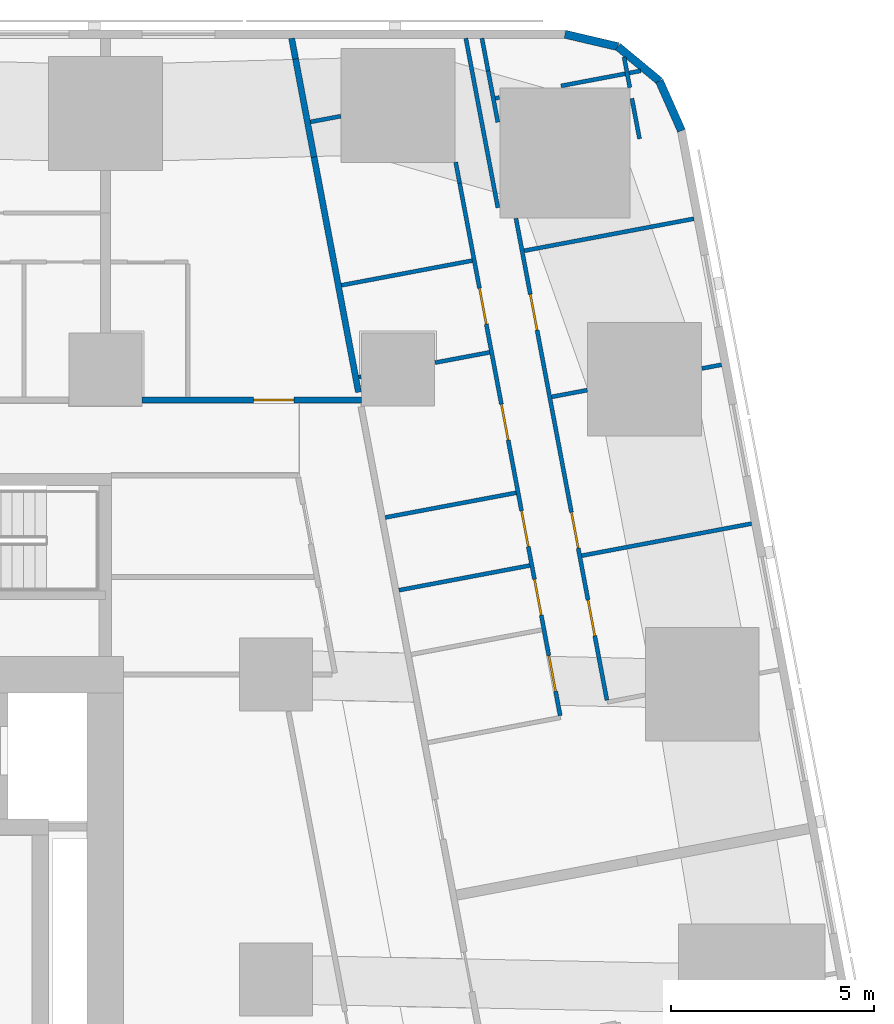
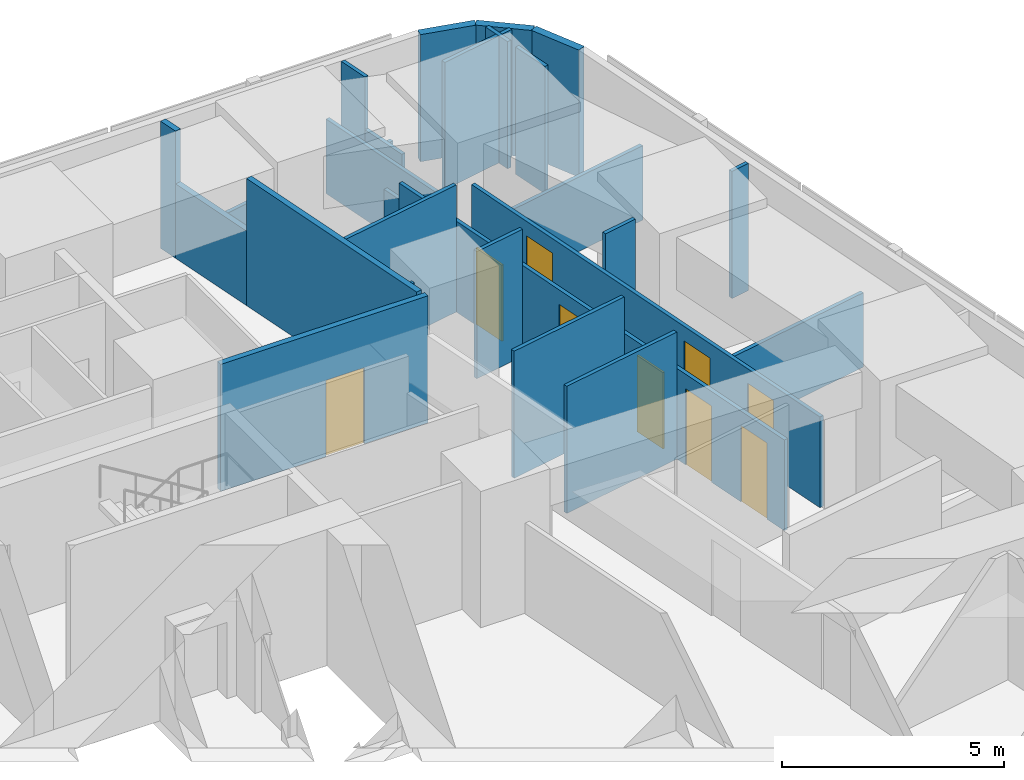
# One storey, part 11 of 16: 27 walls, 9 doors, 9 openings.
"""IFC4 building model written with IfcOpenShell, lengths in metres."""

from ifc_helpers import new_model, si_unit, direction, frame, frame_2d, origin, place, context, subcontext, project, spatial, rectangle, extrude, material, layer, layer_set, type_object, element, fill, save


model = new_model("IFC4")

# Units and contexts
model_context = context("Model", 3, precision=1e-05, world=origin(), true_north=direction((0.0, 1.0)))
body_context = subcontext(model_context, "Body", "Model", "MODEL_VIEW")
ifc_project = project(units=[si_unit("LENGTHUNIT", "METRE"), si_unit("AREAUNIT", "SQUARE_METRE"), si_unit("VOLUMEUNIT", "CUBIC_METRE"), si_unit("PLANEANGLEUNIT", "RADIAN"), si_unit("MASSUNIT", "GRAM", prefix="KILO")], contexts=[model_context])

# Site, building, storey
site_placement = place(None, origin())
site = spatial("IfcSite", under=ifc_project, at=site_placement, CompositionType="ELEMENT")
building_placement = place(site_placement, origin())
building = spatial("IfcBuilding", under=site, at=building_placement, Name="Sheger Commons Tower", CompositionType="ELEMENT")
storey_placement = place(building_placement, frame((0.0, 0.0, 57.5)))
storey = spatial("IfcBuildingStorey", under=building, at=storey_placement, Name="L14", CompositionType="ELEMENT", Elevation=57.5)

# Wall, opening, door
ifc_material_1 = material(Name="Hollow concrete block masonry, skimmed both sides", Category="masonry")
ifc_layer_1 = layer(ifc_material_1, 0.14990234375)
ifc_layer_set_1 = layer_set([ifc_layer_1], Name="CORRIDOR WALL 150")
wall_type_1 = type_object("IfcWallType", Name="CORRIDOR WALL 150", PredefinedType="SOLIDWALL", material=ifc_layer_set_1)
wall_1_placement = place(storey_placement, frame((29.700927734375, 36.75, 0.0), z_axis=(0.0, 0.0, 1.0), x_axis=(1.0, 0.0, 0.0)))
wall_1 = element("IfcWall", 1, at=wall_1_placement, inside=storey, type_object=wall_type_1, Name="Corridor wall L14", PredefinedType="SOLIDWALL", context=body_context, shape_type="SweptSolid", body=[
    extrude(rectangle(XDim=5.399169921875, YDim=0.14990234375, at=frame_2d((2.69970703125, 0.0))), origin(), (0.0, 0.0, 1.0), 3.5),
])
opening_1_placement = place(wall_1_placement, frame((2.7451171875, 0.0, 0.0)))
opening_1 = element("IfcOpeningElement", 2, at=opening_1_placement, cuts=wall_1, Name="Opening D1", PredefinedType="OPENING", context=body_context, shape_type="SweptSolid", body=[
    extrude(rectangle(XDim=1.0, YDim=2.10009765625, at=frame_2d((0.5, 1.050048828125))), frame((0.0, 0.0849609375, 0.0), z_axis=(0.0, -1.0, 0.0), x_axis=(1.0, 0.0, 0.0)), (0.0, 0.0, 1.0), 0.169921875),
])
ifc_material_2 = material(Name="Steel door set, fire rated", Category="steel")
door_type_1 = type_object("IfcDoorType", Name="FLAT ENTRANCE DOOR 1000x2100", OperationType="NOTDEFINED", PredefinedType="DOOR", material=ifc_material_2)
door_1_placement = place(opening_1_placement, origin())
door_1 = element("IfcDoor", 3, at=door_1_placement, inside=storey, type_object=door_type_1, Name="Flat entrance door", OperationType="SINGLE_SWING_RIGHT", OverallHeight=2.10009765625, OverallWidth=1.0, PredefinedType="DOOR", context=body_context, shape_type="SweptSolid", body=[
    extrude(rectangle(XDim=1.0, YDim=2.10009765625, at=frame_2d((0.5, 1.050048828125))), frame((0.0, 0.02490234375, 0.0), z_axis=(0.0, -1.0, 0.0), x_axis=(1.0, 0.0, 0.0)), (0.0, 0.0, 1.0), 0.050048828125),
])
fill(opening_1, door_1)

# Walls
wall_2_placement = place(storey_placement, frame((33.382080078125, 45.64990234375, 0.0), z_axis=(0.0, 0.0, 1.0), x_axis=(0.185657456326, -0.982614527122, 0.0)))
element("IfcWall", 4, at=wall_2_placement, inside=storey, type_object=wall_type_1, Name="Corridor wall L14", PredefinedType="SOLIDWALL", context=body_context, shape_type="SweptSolid", body=[
    extrude(rectangle(XDim=0.516845703125, YDim=0.14990234375, at=frame_2d((0.25830078125, 0.0))), origin(), (0.0, 0.0, 1.0), 3.5),
])
wall_3_placement = place(storey_placement, frame((33.47802734375, 45.14208984375, 0.0), z_axis=(0.0, 0.0, 1.0), x_axis=(0.185393362436, -0.982664388876, 0.0)))
element("IfcWall", 5, at=wall_3_placement, inside=storey, type_object=wall_type_1, Name="Corridor wall L14", PredefinedType="SOLIDWALL", context=body_context, shape_type="SweptSolid", body=[
    extrude(rectangle(XDim=2.45458984375, YDim=0.14990234375, at=frame_2d((1.227294921875, 0.0))), origin(), (0.0, 0.0, 1.0), 2.050048828125),
])
wall_4_placement = place(storey_placement, frame((33.93310546875, 42.72998046875, 0.0), z_axis=(0.0, 0.0, 1.0), x_axis=(0.185617897238, -0.982622000682, 0.0)))
element("IfcWall", 6, at=wall_4_placement, inside=storey, type_object=wall_type_1, Name="Corridor wall L14", PredefinedType="SOLIDWALL", context=body_context, shape_type="SweptSolid", body=[
    extrude(rectangle(XDim=5.88720703125, YDim=0.14990234375, at=frame_2d((2.943603515625, 0.0))), origin(), (0.0, 0.0, 1.0), 3.5),
])
ifc_material_3 = material(Name="Rendered concrete block masonry, dark grey", Category="masonry")
ifc_layer_2 = layer(ifc_material_3, 0.199951171875)
ifc_layer_set_2 = layer_set([ifc_layer_2], Name="FACADE WALL 200")
wall_type_2 = type_object("IfcWallType", Name="FACADE WALL 200", PredefinedType="SOLIDWALL", material=ifc_layer_set_2)
wall_5_placement = place(storey_placement, frame((42.969970703125, 43.376953125, 0.0), z_axis=(0.0, 0.0, 1.0), x_axis=(-0.406002956633, 0.913871762998, 0.0)))
element("IfcWall", 7, at=wall_5_placement, inside=storey, type_object=wall_type_2, Name="Facade wall L14", PredefinedType="SOLIDWALL", context=body_context, shape_type="SweptSolid", body=[
    extrude(rectangle(XDim=1.33740234375, YDim=0.199951171875, at=frame_2d((0.668701171875, 0.0))), origin(), (0.0, 0.0, 1.0), 3.5),
])
wall_6_placement = place(storey_placement, frame((42.427001953125, 44.59912109375, 0.0), z_axis=(0.0, 0.0, 1.0), x_axis=(-0.770091412544, 0.637933551655, 0.0)))
element("IfcWall", 8, at=wall_6_placement, inside=storey, type_object=wall_type_2, Name="Facade wall L14", PredefinedType="SOLIDWALL", context=body_context, shape_type="SweptSolid", body=[
    extrude(rectangle(XDim=1.324462890625, YDim=0.199951171875, at=frame_2d((0.662109375, 0.0))), origin(), (0.0, 0.0, 1.0), 3.5),
])
wall_7_placement = place(storey_placement, frame((41.406982421875, 45.444091796875, 0.0), z_axis=(0.0, 0.0, 1.0), x_axis=(-0.973453091607, 0.228886606077, 0.0)))
element("IfcWall", 9, at=wall_7_placement, inside=storey, type_object=wall_type_2, Name="Facade wall L14", PredefinedType="SOLIDWALL", context=body_context, shape_type="SweptSolid", body=[
    extrude(rectangle(XDim=1.33642578125, YDim=0.199951171875, at=frame_2d((0.668212890625, 0.0))), origin(), (0.0, 0.0, 1.0), 3.5),
])
ifc_material_4 = material(Name="Gypsum board on steel studs", Category="steel")
ifc_layer_3 = layer(ifc_material_4, 0.10009765625)
ifc_layer_set_3 = layer_set([ifc_layer_3], Name="PARTITION 100")
wall_type_3 = type_object("IfcWallType", Name="PARTITION 100", PredefinedType="PARTITIONING", material=ifc_layer_set_3)
wall_8_placement = place(storey_placement, frame((38.4541015625, 41.48291015625, 0.0), z_axis=(0.0, 0.0, 1.0), x_axis=(-0.185609245326, 0.982623634994, 0.0)))
element("IfcWall", 10, at=wall_8_placement, inside=storey, type_object=wall_type_3, Name="Partition L14", PredefinedType="PARTITIONING", context=body_context, shape_type="SweptSolid", body=[
    extrude(rectangle(XDim=4.24072265625, YDim=0.10009765625, at=frame_2d((2.120361328125, 0.0))), origin(), (0.0, 0.0, 1.0), 2.050048828125),
])
wall_9_placement = place(storey_placement, frame((41.55908203125, 45.18798828125, 0.0), z_axis=(0.0, 0.0, 1.0), x_axis=(0.185063078849, -0.98272664401, 0.0)))
element("IfcWall", 11, at=wall_9_placement, inside=storey, type_object=wall_type_3, Name="Partition L14", PredefinedType="PARTITIONING", context=body_context, shape_type="SweptSolid", body=[
    extrude(rectangle(XDim=0.76123046875, YDim=0.10009765625, at=frame_2d((0.380615234375, 0.0))), origin(), (0.0, 0.0, 1.0), 3.5),
])
wall_10_placement = place(storey_placement, frame((41.7509765625, 44.169921875, 0.0), z_axis=(0.0, 0.0, 1.0), x_axis=(0.186024046654, -0.98254519187, 0.0)))
element("IfcWall", 12, at=wall_10_placement, inside=storey, type_object=wall_type_3, Name="Partition L14", PredefinedType="PARTITIONING", context=body_context, shape_type="SweptSolid", body=[
    extrude(rectangle(XDim=1.010498046875, YDim=0.10009765625, at=frame_2d((0.50537109375, 0.0))), origin(), (0.0, 0.0, 1.0), 3.5),
])
wall_11_placement = place(storey_placement, frame((38.06298828125, 45.64990234375, 0.0), z_axis=(0.0, 0.0, 1.0), x_axis=(0.186109918919, -0.982528929895, 0.0)))
element("IfcWall", 13, at=wall_11_placement, inside=storey, type_object=wall_type_3, Name="Partition L14", PredefinedType="PARTITIONING", context=body_context, shape_type="SweptSolid", body=[
    extrude(rectangle(XDim=0.817138671875, YDim=0.10009765625, at=frame_2d((0.40869140625, 0.0))), origin(), (0.0, 0.0, 1.0), 3.5),
])
wall_12_placement = place(storey_placement, frame((38.215087890625, 44.846923828125, 0.0), z_axis=(0.0, 0.0, 1.0), x_axis=(0.185449486507, -0.982653798626, 0.0)))
element("IfcWall", 14, at=wall_12_placement, inside=storey, type_object=wall_type_3, Name="Partition L14", PredefinedType="PARTITIONING", context=body_context, shape_type="SweptSolid", body=[
    extrude(rectangle(XDim=1.2822265625, YDim=0.10009765625, at=frame_2d((0.64111328125, 0.0))), origin(), (0.0, 0.0, 1.0), 2.050048828125),
])

# Wall, openings, doors
wall_13_placement = place(storey_placement, frame((38.89990234375, 41.219970703125, 0.0), z_axis=(0.0, 0.0, 1.0), x_axis=(0.185521843026, -0.98264014052, 0.0)))
wall_13 = element("IfcWall", 15, at=wall_13_placement, inside=storey, type_object=wall_type_3, Name="Partition L14", PredefinedType="PARTITIONING", context=body_context, shape_type="SweptSolid", body=[
    extrude(rectangle(XDim=12.05810546875, YDim=0.10009765625, at=frame_2d((6.029052734375, 0.0))), origin(), (0.0, 0.0, 1.0), 2.5),
])
opening_2_placement = place(wall_13_placement, frame((9.550048828125, 0.0, 0.0)))
opening_2 = element("IfcOpeningElement", 16, at=opening_2_placement, cuts=wall_13, Name="Opening D2", PredefinedType="OPENING", context=body_context, shape_type="SweptSolid", body=[
    extrude(rectangle(XDim=0.89990234375, YDim=2.10009765625, at=frame_2d((0.449951171875, 1.050048828125))), frame((0.0, 0.06005859375, 0.0), z_axis=(0.0, -1.0, 0.0), x_axis=(1.0, 0.0, 0.0)), (0.0, 0.0, 1.0), 0.1201171875),
])
opening_3_placement = place(wall_13_placement, frame((7.35205078125, 0.0, 0.0)))
opening_3 = element("IfcOpeningElement", 17, at=opening_3_placement, cuts=wall_13, Name="Opening D2", PredefinedType="OPENING", context=body_context, shape_type="SweptSolid", body=[
    extrude(rectangle(XDim=0.89990234375, YDim=2.10009765625, at=frame_2d((0.449951171875, 1.050048828125))), frame((0.0, 0.06005859375, 0.0), z_axis=(0.0, -1.0, 0.0), x_axis=(1.0, 0.0, 0.0)), (0.0, 0.0, 1.0), 0.1201171875),
])
opening_4_placement = place(wall_13_placement, frame((1.89990234375, 0.0, 0.0)))
opening_4 = element("IfcOpeningElement", 18, at=opening_4_placement, cuts=wall_13, Name="Opening D2", PredefinedType="OPENING", context=body_context, shape_type="SweptSolid", body=[
    extrude(rectangle(XDim=0.89990234375, YDim=2.10009765625, at=frame_2d((0.449951171875, 1.050048828125))), frame((0.0, 0.06005859375, 0.0), z_axis=(0.0, -1.0, 0.0), x_axis=(1.0, 0.0, 0.0)), (0.0, 0.0, 1.0), 0.1201171875),
])
ifc_material_5 = material(Name="Timber door set", Category="wood")
door_type_2 = type_object("IfcDoorType", Name="INTERNAL DOOR 900x2100", OperationType="NOTDEFINED", PredefinedType="DOOR", material=ifc_material_5)
door_2_placement = place(opening_2_placement, origin())
door_2 = element("IfcDoor", 19, at=door_2_placement, inside=storey, type_object=door_type_2, Name="Main bedroom door", OperationType="SINGLE_SWING_LEFT", OverallHeight=2.10009765625, OverallWidth=0.89990234375, PredefinedType="DOOR", context=body_context, shape_type="SweptSolid", body=[
    extrude(rectangle(XDim=0.89990234375, YDim=2.10009765625, at=frame_2d((0.449951171875, 1.050048828125))), frame((0.0, 0.02490234375, 0.0), z_axis=(0.0, -1.0, 0.0), x_axis=(1.0, 0.0, 0.0)), (0.0, 0.0, 1.0), 0.050048828125),
])
fill(opening_2, door_2)
door_3_placement = place(opening_3_placement, origin())
door_3 = element("IfcDoor", 20, at=door_3_placement, inside=storey, type_object=door_type_2, Name="Bedroom 2 door", OperationType="SINGLE_SWING_RIGHT", OverallHeight=2.10009765625, OverallWidth=0.89990234375, PredefinedType="DOOR", context=body_context, shape_type="SweptSolid", body=[
    extrude(rectangle(XDim=0.89990234375, YDim=2.10009765625, at=frame_2d((0.449951171875, 1.050048828125))), frame((0.0, 0.02490234375, 0.0), z_axis=(0.0, -1.0, 0.0), x_axis=(1.0, 0.0, 0.0)), (0.0, 0.0, 1.0), 0.050048828125),
])
fill(opening_3, door_3)
door_4_placement = place(opening_4_placement, origin())
door_4 = element("IfcDoor", 21, at=door_4_placement, inside=storey, type_object=door_type_2, Name="Bedroom 3 door", OperationType="SINGLE_SWING_LEFT", OverallHeight=2.10009765625, OverallWidth=0.89990234375, PredefinedType="DOOR", context=body_context, shape_type="SweptSolid", body=[
    extrude(rectangle(XDim=0.89990234375, YDim=2.10009765625, at=frame_2d((0.449951171875, 1.050048828125))), frame((0.0, 0.02490234375, 0.0), z_axis=(0.0, -1.0, 0.0), x_axis=(1.0, 0.0, 0.0)), (0.0, 0.0, 1.0), 0.050048828125),
])
fill(opening_4, door_4)

# Wall
wall_14_placement = place(storey_placement, frame((37.4169921875, 42.60205078125, 0.0), z_axis=(0.0, 0.0, 1.0), x_axis=(0.185672001976, -0.982611778721, 0.0)))
element("IfcWall", 22, at=wall_14_placement, inside=storey, type_object=wall_type_3, Name="Partition L14", PredefinedType="PARTITIONING", context=body_context, shape_type="SweptSolid", body=[
    extrude(rectangle(XDim=0.52197265625, YDim=0.10009765625, at=frame_2d((0.260986328125, 0.0))), origin(), (0.0, 0.0, 1.0), 2.050048828125),
])

# Wall, openings, doors
wall_15_placement = place(storey_placement, frame((37.513916015625, 42.089111328125, 0.0), z_axis=(0.0, 0.0, 1.0), x_axis=(0.1856087397, -0.982623730503, 0.0)))
wall_15 = element("IfcWall", 23, at=wall_15_placement, inside=storey, type_object=wall_type_3, Name="Partition L14", PredefinedType="PARTITIONING", context=body_context, shape_type="SweptSolid", body=[
    extrude(rectangle(XDim=13.329833984375, YDim=0.10009765625, at=frame_2d((6.6650390625, 0.0))), origin(), (0.0, 0.0, 1.0), 2.5),
])
opening_5_placement = place(wall_15_placement, frame((11.824951171875, 0.0, 0.0)))
opening_5 = element("IfcOpeningElement", 24, at=opening_5_placement, cuts=wall_15, Name="Opening D2", PredefinedType="OPENING", context=body_context, shape_type="SweptSolid", body=[
    extrude(rectangle(XDim=0.89990234375, YDim=2.10009765625, at=frame_2d((0.449951171875, 1.050048828125))), frame((0.0, 0.06005859375, 0.0), z_axis=(0.0, -1.0, 0.0), x_axis=(1.0, 0.0, 0.0)), (0.0, 0.0, 1.0), 0.1201171875),
])
opening_6_placement = place(wall_15_placement, frame((8.202880859375, 0.0, 0.0)))
opening_6 = element("IfcOpeningElement", 25, at=opening_6_placement, cuts=wall_15, Name="Opening D2", PredefinedType="OPENING", context=body_context, shape_type="SweptSolid", body=[
    extrude(rectangle(XDim=0.89990234375, YDim=2.10009765625, at=frame_2d((0.449951171875, 1.050048828125))), frame((0.0, 0.06005859375, 0.0), z_axis=(0.0, -1.0, 0.0), x_axis=(1.0, 0.0, 0.0)), (0.0, 0.0, 1.0), 0.1201171875),
])
opening_7_placement = place(wall_15_placement, frame((2.6298828125, 0.0, 0.0)))
opening_7 = element("IfcOpeningElement", 26, at=opening_7_placement, cuts=wall_15, Name="Opening D2", PredefinedType="OPENING", context=body_context, shape_type="SweptSolid", body=[
    extrude(rectangle(XDim=0.89990234375, YDim=2.10009765625, at=frame_2d((0.449951171875, 1.050048828125))), frame((0.0, 0.06005859375, 0.0), z_axis=(0.0, -1.0, 0.0), x_axis=(1.0, 0.0, 0.0)), (0.0, 0.0, 1.0), 0.1201171875),
])
opening_8_placement = place(wall_15_placement, frame((9.916015625, 0.0, 0.0)))
opening_8 = element("IfcOpeningElement", 27, at=opening_8_placement, cuts=wall_15, Name="Opening D2", PredefinedType="OPENING", context=body_context, shape_type="SweptSolid", body=[
    extrude(rectangle(XDim=0.89990234375, YDim=2.10009765625, at=frame_2d((0.449951171875, 1.050048828125))), frame((0.0, 0.06005859375, 0.0), z_axis=(0.0, -1.0, 0.0), x_axis=(1.0, 0.0, 0.0)), (0.0, 0.0, 1.0), 0.1201171875),
])
opening_9_placement = place(wall_15_placement, frame((5.534912109375, 0.0, 0.0)))
opening_9 = element("IfcOpeningElement", 28, at=opening_9_placement, cuts=wall_15, Name="Opening D2", PredefinedType="OPENING", context=body_context, shape_type="SweptSolid", body=[
    extrude(rectangle(XDim=0.89990234375, YDim=2.10009765625, at=frame_2d((0.449951171875, 1.050048828125))), frame((0.0, 0.06005859375, 0.0), z_axis=(0.0, -1.0, 0.0), x_axis=(1.0, 0.0, 0.0)), (0.0, 0.0, 1.0), 0.1201171875),
])
door_5_placement = place(opening_5_placement, origin())
door_5 = element("IfcDoor", 29, at=door_5_placement, inside=storey, type_object=door_type_2, Name="Bathroom door", OperationType="SINGLE_SWING_LEFT", OverallHeight=2.10009765625, OverallWidth=0.89990234375, PredefinedType="DOOR", context=body_context, shape_type="SweptSolid", body=[
    extrude(rectangle(XDim=0.89990234375, YDim=2.10009765625, at=frame_2d((0.449951171875, 1.050048828125))), frame((0.0, 0.02490234375, 0.0), z_axis=(0.0, -1.0, 0.0), x_axis=(1.0, 0.0, 0.0)), (0.0, 0.0, 1.0), 0.050048828125),
])
fill(opening_5, door_5)
door_6_placement = place(opening_6_placement, origin())
door_6 = element("IfcDoor", 30, at=door_6_placement, inside=storey, type_object=door_type_2, Name="Laundry room door", OperationType="SINGLE_SWING_LEFT", OverallHeight=2.10009765625, OverallWidth=0.89990234375, PredefinedType="DOOR", context=body_context, shape_type="SweptSolid", body=[
    extrude(rectangle(XDim=0.89990234375, YDim=2.10009765625, at=frame_2d((0.449951171875, 1.050048828125))), frame((0.0, 0.02490234375, 0.0), z_axis=(0.0, -1.0, 0.0), x_axis=(1.0, 0.0, 0.0)), (0.0, 0.0, 1.0), 0.050048828125),
])
fill(opening_6, door_6)
door_7_placement = place(opening_7_placement, origin())
door_7 = element("IfcDoor", 31, at=door_7_placement, inside=storey, type_object=door_type_2, Name="Laundry room door", OperationType="SINGLE_SWING_LEFT", OverallHeight=2.10009765625, OverallWidth=0.89990234375, PredefinedType="DOOR", context=body_context, shape_type="SweptSolid", body=[
    extrude(rectangle(XDim=0.89990234375, YDim=2.10009765625, at=frame_2d((0.449951171875, 1.050048828125))), frame((0.0, 0.02490234375, 0.0), z_axis=(0.0, -1.0, 0.0), x_axis=(1.0, 0.0, 0.0)), (0.0, 0.0, 1.0), 0.050048828125),
])
fill(opening_7, door_7)
door_8_placement = place(opening_8_placement, origin())
door_8 = element("IfcDoor", 32, at=door_8_placement, inside=storey, type_object=door_type_2, Name="Store door", OperationType="SINGLE_SWING_RIGHT", OverallHeight=2.10009765625, OverallWidth=0.89990234375, PredefinedType="DOOR", context=body_context, shape_type="SweptSolid", body=[
    extrude(rectangle(XDim=0.89990234375, YDim=2.10009765625, at=frame_2d((0.449951171875, 1.050048828125))), frame((0.0, 0.02490234375, 0.0), z_axis=(0.0, -1.0, 0.0), x_axis=(1.0, 0.0, 0.0)), (0.0, 0.0, 1.0), 0.050048828125),
])
fill(opening_8, door_8)
door_9_placement = place(opening_9_placement, origin())
door_9 = element("IfcDoor", 33, at=door_9_placement, inside=storey, type_object=door_type_2, Name="Store door", OperationType="SINGLE_SWING_RIGHT", OverallHeight=2.10009765625, OverallWidth=0.89990234375, PredefinedType="DOOR", context=body_context, shape_type="SweptSolid", body=[
    extrude(rectangle(XDim=0.89990234375, YDim=2.10009765625, at=frame_2d((0.449951171875, 1.050048828125))), frame((0.0, 0.02490234375, 0.0), z_axis=(0.0, -1.0, 0.0), x_axis=(1.0, 0.0, 0.0)), (0.0, 0.0, 1.0), 0.050048828125),
])
fill(opening_9, door_9)

# Walls
wall_16_placement = place(storey_placement, frame((41.968017578125, 44.85009765625, 0.0), z_axis=(0.0, 0.0, 1.0), x_axis=(-0.982543651732, -0.186032181195, 0.0)))
element("IfcWall", 34, at=wall_16_placement, inside=storey, type_object=wall_type_3, Name="Partition L14", PredefinedType="PARTITIONING", context=body_context, shape_type="SweptSolid", body=[
    extrude(rectangle(XDim=1.994873046875, YDim=0.10009765625, at=frame_2d((0.99755859375, 0.0))), origin(), (0.0, 0.0, 1.0), 3.5),
])
wall_17_placement = place(storey_placement, frame((38.491943359375, 44.193115234375, 0.0), z_axis=(0.0, 0.0, 1.0), x_axis=(-0.981954528773, -0.189117168504, 0.0)))
element("IfcWall", 35, at=wall_17_placement, inside=storey, type_object=wall_type_3, Name="Partition L14", PredefinedType="PARTITIONING", context=body_context, shape_type="SweptSolid", body=[
    extrude(rectangle(XDim=0.1005859375, YDim=0.10009765625, at=frame_2d((0.05029296875, 0.0))), origin(), (0.0, 0.0, 1.0), 2.050048828125),
])
wall_18_placement = place(storey_placement, frame((43.277099609375, 41.2119140625, 0.0), z_axis=(0.0, 0.0, 1.0), x_axis=(-0.982665405803, -0.185387972203, 0.0)))
element("IfcWall", 36, at=wall_18_placement, inside=storey, type_object=wall_type_3, Name="Partition L14", PredefinedType="PARTITIONING", context=body_context, shape_type="SweptSolid", body=[
    extrude(rectangle(XDim=4.249755859375, YDim=0.10009765625, at=frame_2d((2.125, 0.0))), origin(), (0.0, 0.0, 1.0), 2.050048828125),
])
wall_19_placement = place(storey_placement, frame((43.955078125, 37.6201171875, 0.0), z_axis=(0.0, 0.0, 1.0), x_axis=(-0.982543152073, -0.186034820164, 0.0)))
element("IfcWall", 37, at=wall_19_placement, inside=storey, type_object=wall_type_3, Name="Partition L14", PredefinedType="PARTITIONING", context=body_context, shape_type="SweptSolid", body=[
    extrude(rectangle(XDim=0.489501953125, YDim=0.10009765625, at=frame_2d((0.24462890625, 0.0))), origin(), (0.0, 0.0, 1.0), 3.5),
])
wall_20_placement = place(storey_placement, frame((40.654052734375, 36.99609375, 0.0), z_axis=(0.0, 0.0, 1.0), x_axis=(-0.982672962335, -0.185347913655, 0.0)))
element("IfcWall", 38, at=wall_20_placement, inside=storey, type_object=wall_type_3, Name="Partition L14", PredefinedType="PARTITIONING", context=body_context, shape_type="SweptSolid", body=[
    extrude(rectangle(XDim=0.890380859375, YDim=0.10009765625, at=frame_2d((0.4453125, 0.0))), origin(), (0.0, 0.0, 1.0), 3.5),
])
wall_21_placement = place(storey_placement, frame((44.693115234375, 33.712890625, 0.0), z_axis=(0.0, 0.0, 1.0), x_axis=(-0.982623519589, -0.185609856287, 0.0)))
element("IfcWall", 39, at=wall_21_placement, inside=storey, type_object=wall_type_3, Name="Partition L14", PredefinedType="PARTITIONING", context=body_context, shape_type="SweptSolid", body=[
    extrude(rectangle(XDim=4.249755859375, YDim=0.10009765625, at=frame_2d((2.125, 0.0))), origin(), (0.0, 0.0, 1.0), 2.050048828125),
])
wall_22_placement = place(storey_placement, frame((34.590087890625, 43.73388671875, 0.0), z_axis=(0.0, 0.0, 1.0), x_axis=(-0.98274036184, -0.184990219229, 0.0)))
element("IfcWall", 40, at=wall_22_placement, inside=storey, type_object=wall_type_3, Name="Partition L14", PredefinedType="PARTITIONING", context=body_context, shape_type="SweptSolid", body=[
    extrude(rectangle(XDim=0.756103515625, YDim=0.10009765625, at=frame_2d((0.3779296875, 0.0))), origin(), (0.0, 0.0, 1.0), 2.050048828125),
])
wall_23_placement = place(storey_placement, frame((37.822998046875, 40.181884765625, 0.0), z_axis=(0.0, 0.0, 1.0), x_axis=(-0.982664729897, -0.18539155487, 0.0)))
element("IfcWall", 41, at=wall_23_placement, inside=storey, type_object=wall_type_3, Name="Partition L14", PredefinedType="PARTITIONING", context=body_context, shape_type="SweptSolid", body=[
    extrude(rectangle(XDim=3.273681640625, YDim=0.10009765625, at=frame_2d((1.63671875, 0.0))), origin(), (0.0, 0.0, 1.0), 3.5),
])
wall_24_placement = place(storey_placement, frame((38.25, 37.925048828125, 0.0), z_axis=(0.0, 0.0, 1.0), x_axis=(-0.982650574676, -0.185466568658, 0.0)))
element("IfcWall", 42, at=wall_24_placement, inside=storey, type_object=wall_type_3, Name="Partition L14", PredefinedType="PARTITIONING", context=body_context, shape_type="SweptSolid", body=[
    extrude(rectangle(XDim=1.36376953125, YDim=0.10009765625, at=frame_2d((0.681884765625, 0.0))), origin(), (0.0, 0.0, 1.0), 3.5),
])
wall_25_placement = place(storey_placement, frame((35.090087890625, 37.327880859375, 0.0), z_axis=(0.0, 0.0, 1.0), x_axis=(-0.982590620415, -0.185783940835, 0.0)))
element("IfcWall", 43, at=wall_25_placement, inside=storey, type_object=wall_type_3, Name="Partition L14", PredefinedType="PARTITIONING", context=body_context, shape_type="SweptSolid", body=[
    extrude(rectangle(XDim=0.05908203125, YDim=0.10009765625, at=frame_2d((0.029541015625, 0.0))), origin(), (0.0, 0.0, 1.0), 3.5),
])
wall_26_placement = place(storey_placement, frame((39.239990234375, 32.68310546875, 0.0), z_axis=(0.0, 0.0, 1.0), x_axis=(-0.982607026909, -0.185697147715, 0.0)))
element("IfcWall", 44, at=wall_26_placement, inside=storey, type_object=wall_type_3, Name="Partition L14", PredefinedType="PARTITIONING", context=body_context, shape_type="SweptSolid", body=[
    extrude(rectangle(XDim=3.27490234375, YDim=0.10009765625, at=frame_2d((1.637451171875, 0.0))), origin(), (0.0, 0.0, 1.0), 3.5),
])
wall_27_placement = place(storey_placement, frame((38.902099609375, 34.470947265625, 0.0), z_axis=(0.0, 0.0, 1.0), x_axis=(-0.982674977865, -0.185337227447, 0.0)))
element("IfcWall", 45, at=wall_27_placement, inside=storey, type_object=wall_type_3, Name="Partition L14", PredefinedType="PARTITIONING", context=body_context, shape_type="SweptSolid", body=[
    extrude(rectangle(XDim=3.274658203125, YDim=0.10009765625, at=frame_2d((1.63720703125, 0.0))), origin(), (0.0, 0.0, 1.0), 3.5),
])

save(model, "model.ifc")
